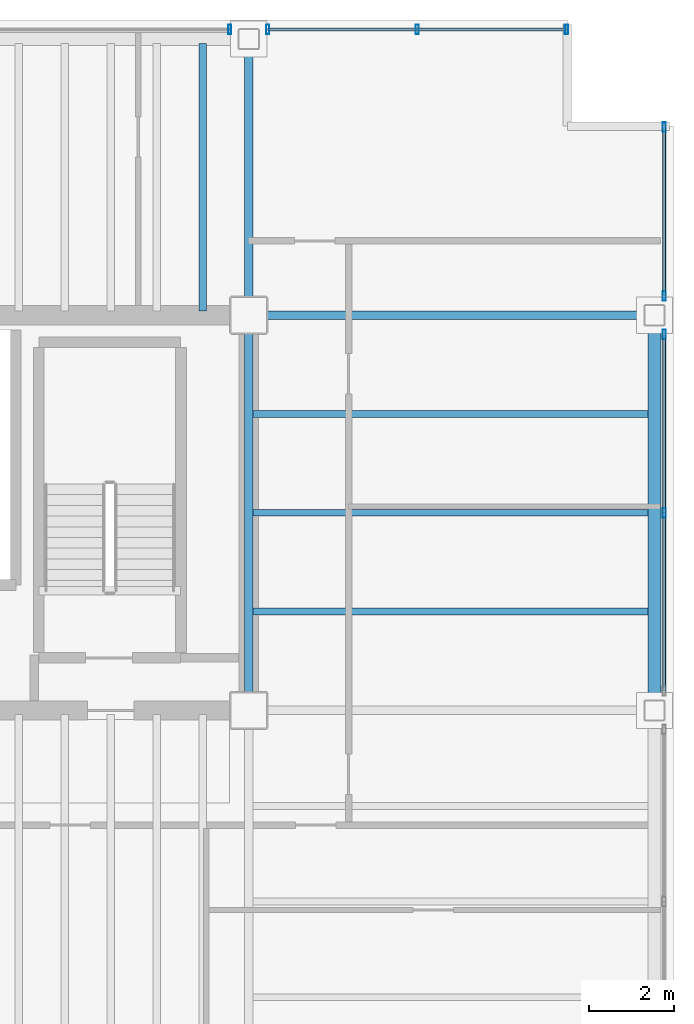
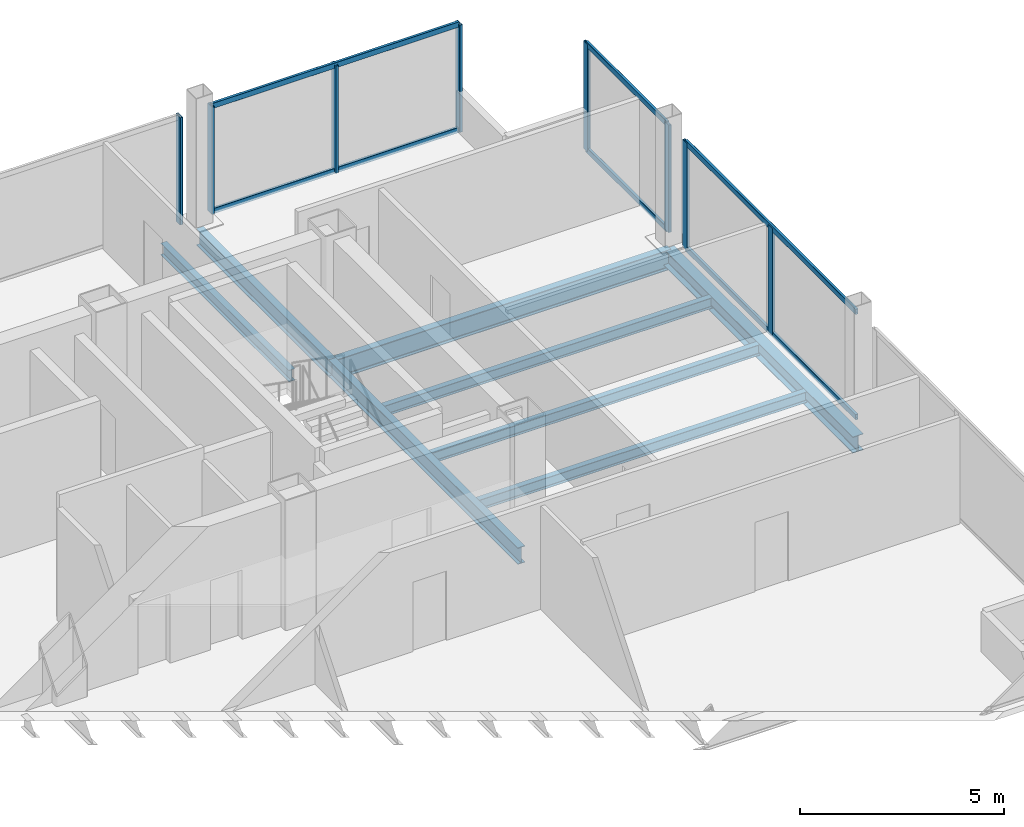
# One storey, part 11 of 16: 14 members, 8 beams, 4 elements without a shape of their own.
"""IFC4 building model written with IfcOpenShell, lengths in metres."""

from ifc_helpers import new_model, si_unit, direction, frame, origin, origin_2d, place, context, subcontext, project, spatial, hollow_rectangle, i_section, extrude, material, material_profile, profile_set, type_object, element, aggregate, save


model = new_model("IFC4")

# Units and contexts
model_context = context("Model", 3, precision=1e-05, world=origin(), true_north=direction((0.0, 1.0)))
body_context = subcontext(model_context, "Body", "Model", "MODEL_VIEW")
ifc_project = project(units=[si_unit("LENGTHUNIT", "METRE"), si_unit("AREAUNIT", "SQUARE_METRE"), si_unit("VOLUMEUNIT", "CUBIC_METRE"), si_unit("PLANEANGLEUNIT", "RADIAN"), si_unit("MASSUNIT", "GRAM", prefix="KILO")], contexts=[model_context])

# Site, building, storey
site_placement = place(None, origin())
site = spatial("IfcSite", under=ifc_project, at=site_placement, CompositionType="ELEMENT")
building_placement = place(site_placement, origin())
building = spatial("IfcBuilding", under=site, at=building_placement, Name="Noeulbin Bourse Tower", CompositionType="ELEMENT")
storey_placement = place(building_placement, frame((0.0, 0.0, 181.199951171875)))
storey = spatial("IfcBuildingStorey", under=building, at=storey_placement, Name="L45", CompositionType="ELEMENT", Elevation=181.199951171875)

# Beams
ifc_material_1 = material(Name="Steel S355", Category="steel")
ifc_material_profile_1 = material_profile(ifc_material_1, i_section(OverallWidth=0.199951171875, OverallDepth=0.5, WebThickness=0.010009765625, FlangeThickness=0.01611328125, FilletRadius=0.02001953125, at=origin_2d()), Name="H-500x200x10x16", Category="LoadBearing")
ifc_profile_set_1 = profile_set([ifc_material_profile_1], Name="Steel S355")
beam_type_1 = type_object("IfcBeamType", Name="BM-GRD-500", PredefinedType="USERDEFINED", material=ifc_profile_set_1)
beam_1_placement = place(storey_placement, frame((44.0, 29.0, -0.429931640625), z_axis=(0.0, 1.0, 0.0), x_axis=(-1.0, 0.0, 0.0)))
element("IfcBeam", 1, at=beam_1_placement, inside=storey, type_object=beam_type_1, Name="Tower Primary Girder NS L45-5.3", ObjectType="GIRDER", PredefinedType="USERDEFINED", context=body_context, shape_type="SweptSolid", body=[
    extrude(i_section(OverallWidth=0.199951171875, OverallDepth=0.5, WebThickness=0.010009765625, FlangeThickness=0.01611328125, FilletRadius=0.02001953125, at=origin_2d()), origin(), (0.0, 0.0, 1.0), 9.300048828125),
])
beam_2_placement = place(storey_placement, frame((44.0, 38.300048828125, -0.429931640625), z_axis=(0.0, 1.0, 0.0), x_axis=(-1.0, 0.0, 0.0)))
element("IfcBeam", 2, at=beam_2_placement, inside=storey, type_object=beam_type_1, Name="Tower Primary Girder NS L45-5.4", ObjectType="GIRDER", PredefinedType="USERDEFINED", context=body_context, shape_type="SweptSolid", body=[
    extrude(i_section(OverallWidth=0.199951171875, OverallDepth=0.5, WebThickness=0.010009765625, FlangeThickness=0.01611328125, FilletRadius=0.02001953125, at=origin_2d()), origin(), (0.0, 0.0, 1.0), 6.5),
])
ifc_material_profile_2 = material_profile(ifc_material_1, i_section(OverallWidth=0.199951171875, OverallDepth=0.60009765625, WebThickness=0.010986328125, FlangeThickness=0.01708984375, FilletRadius=0.02197265625, at=origin_2d()), Name="H-600x200x11x17", Category="LoadBearing")
ifc_profile_set_2 = profile_set([ifc_material_profile_2], Name="Steel S355")
beam_type_2 = type_object("IfcBeamType", Name="BM-GRD-600", PredefinedType="USERDEFINED", material=ifc_profile_set_2)
beam_3_placement = place(storey_placement, frame((44.0, 38.300048828125, -0.47998046875), z_axis=(1.0, 0.0, 0.0), x_axis=(0.0, 1.0, 0.0)))
element("IfcBeam", 3, at=beam_3_placement, inside=storey, type_object=beam_type_2, Name="Tower Primary Girder EW L45-3.6", ObjectType="GIRDER", PredefinedType="USERDEFINED", context=body_context, shape_type="SweptSolid", body=[
    extrude(i_section(OverallWidth=0.199951171875, OverallDepth=0.60009765625, WebThickness=0.010986328125, FlangeThickness=0.01708984375, FilletRadius=0.02197265625, at=origin_2d()), origin(), (0.0, 0.0, 1.0), 9.550048828125),
])
ifc_material_profile_3 = material_profile(ifc_material_1, i_section(OverallWidth=0.159912109375, OverallDepth=0.320068359375, WebThickness=0.006591796875, FlangeThickness=0.010009765625, FilletRadius=0.012939453125, at=origin_2d()), Name="H-320x160x6.5x10", Category="LoadBearing")
ifc_profile_set_3 = profile_set([ifc_material_profile_3], Name="Steel S355")
beam_type_3 = type_object("IfcBeamType", Name="BM-JST-320", PredefinedType="JOIST", material=ifc_profile_set_3)
for number, where, z_axis, x_axis, name in (
    (4, (44.10009765625, 31.324951171875, -0.33984375), (1.0, 0.0, 0.0), (0.0, 1.0, 0.0), "Wing Composite Joist L45-E76"),
    (5, (44.10009765625, 33.64990234375, -0.33984375), (1.0, 0.0, 0.0), (0.0, 1.0, 0.0), "Wing Composite Joist L45-E77"),
    (6, (44.10009765625, 35.97509765625, -0.33984375), (1.0, 0.0, 0.0), (0.0, 1.0, 0.0), "Wing Composite Joist L45-E78"),
):
    element("IfcBeam", number, at=place(storey_placement, frame(where, z_axis=z_axis, x_axis=x_axis)), inside=storey, type_object=beam_type_3, Name=name, PredefinedType="JOIST", context=body_context, shape_type="SweptSolid", body=[
        extrude(i_section(OverallWidth=0.159912109375, OverallDepth=0.320068359375, WebThickness=0.006591796875, FlangeThickness=0.010009765625, FilletRadius=0.012939453125, at=origin_2d()), origin(), (0.0, 0.0, 1.0), 9.2998046875),
    ])
ifc_material_profile_4 = material_profile(ifc_material_1, i_section(OverallWidth=0.175048828125, OverallDepth=0.35009765625, WebThickness=0.007080078125, FlangeThickness=0.010986328125, FilletRadius=0.013916015625, at=origin_2d()), Name="H-350x175x7x11", Category="LoadBearing")
ifc_profile_set_4 = profile_set([ifc_material_profile_4], Name="Steel S355")
beam_type_4 = type_object("IfcBeamType", Name="BM-JST-350", PredefinedType="JOIST", material=ifc_profile_set_4)
beam_4_placement = place(storey_placement, frame((42.916748046875, 38.39990234375, -0.35498046875), z_axis=(0.0, 1.0, 0.0), x_axis=(-1.0, 0.0, 0.0)))
element("IfcBeam", 7, at=beam_4_placement, inside=storey, type_object=beam_type_4, Name="Tower Composite Joist L45-66", PredefinedType="JOIST", context=body_context, shape_type="SweptSolid", body=[
    extrude(i_section(OverallWidth=0.175048828125, OverallDepth=0.35009765625, WebThickness=0.007080078125, FlangeThickness=0.010986328125, FilletRadius=0.013916015625, at=origin_2d()), origin(), (0.0, 0.0, 1.0), 6.300048828125),
])
ifc_material_profile_5 = material_profile(ifc_material_1, i_section(OverallWidth=0.300048828125, OverallDepth=0.488037109375, WebThickness=0.010986328125, FlangeThickness=0.01806640625, FilletRadius=0.02197265625, at=origin_2d()), Name="H-488x300x11x18", Category="LoadBearing")
ifc_profile_set_5 = profile_set([ifc_material_profile_5], Name="Steel S355")
beam_type_5 = type_object("IfcBeamType", Name="BM-SPN-488", PredefinedType="SPANDREL", material=ifc_profile_set_5)
beam_5_placement = place(storey_placement, frame((53.550048828125, 29.0, -0.424072265625), z_axis=(0.0, 1.0, 0.0), x_axis=(-1.0, 0.0, 0.0)))
element("IfcBeam", 8, at=beam_5_placement, inside=storey, type_object=beam_type_5, Name="East Spandrel L45-2", PredefinedType="SPANDREL", context=body_context, shape_type="SweptSolid", body=[
    extrude(i_section(OverallWidth=0.300048828125, OverallDepth=0.488037109375, WebThickness=0.010986328125, FlangeThickness=0.01806640625, FilletRadius=0.02197265625, at=origin_2d()), origin(), (0.0, 0.0, 1.0), 9.300048828125),
])

# Curtain wall, member
ifc_material_2 = material(Name="Dark Tinted Triple Glazing", Category="glass")
curtain_wall_type = type_object("IfcCurtainWallType", Name="CW-SYS-3", PredefinedType="NOTDEFINED", material=ifc_material_2)
curtain_wall_1_placement = place(storey_placement, origin())
curtain_wall_1 = element("IfcCurtainWall", 9, at=curtain_wall_1_placement, inside=storey, type_object=curtain_wall_type, Name="Unitised Curtain Wall CW-L45-N-S4", PredefinedType="NOTDEFINED")
ifc_material_3 = material(Name="Anodised Aluminium 6063-T6", Category="aluminium")
ifc_material_profile_6 = material_profile(ifc_material_3, hollow_rectangle(XDim=0.074951171875, YDim=0.219970703125, WallThickness=0.0048828125, InnerFilletRadius=0.00244140625, OuterFilletRadius=0.0048828125, at=origin_2d()), Name="ALU-MULL-75x220x5", Category="LoadBearing")
ifc_profile_set_6 = profile_set([ifc_material_profile_6], Name="Anodised Aluminium 6063-T6")
member_type_1 = type_object("IfcMemberType", Name="CW-SYS-3-MUL", PredefinedType="MULLION", material=ifc_profile_set_6)
member_1_placement = place(storey_placement, frame((43.550048828125, 45.030029296875, -0.02001953125), z_axis=(0.0, 0.0, 1.0), x_axis=(1.0, 0.0, 0.0)))
member_1 = element("IfcMember", 10, at=member_1_placement, type_object=member_type_1, Name="Curtain Wall Mullion CW-L45-N-S4-M01", PredefinedType="MULLION", context=body_context, shape_type="SweptSolid", body=[
    extrude(hollow_rectangle(XDim=0.074951171875, YDim=0.219970703125, WallThickness=0.0048828125, InnerFilletRadius=0.00244140625, OuterFilletRadius=0.0048828125, at=origin_2d()), origin(), (0.0, 0.0, 1.0), 3.219970703125),
])
aggregate(curtain_wall_1, [member_1])

# Curtain wall, members
curtain_wall_2_placement = place(storey_placement, origin())
curtain_wall_2 = element("IfcCurtainWall", 11, at=curtain_wall_2_placement, inside=storey, type_object=curtain_wall_type, Name="Unitised Curtain Wall CW-L45-N-S5", PredefinedType="NOTDEFINED")
member_2_placement = place(storey_placement, frame((44.449951171875, 45.030029296875, -0.02001953125), z_axis=(0.0, 0.0, 1.0), x_axis=(1.0, 0.0, 0.0)))
member_2 = element("IfcMember", 12, at=member_2_placement, type_object=member_type_1, Name="Curtain Wall Mullion CW-L45-N-S5-M00", PredefinedType="MULLION", context=body_context, shape_type="SweptSolid", body=[
    extrude(hollow_rectangle(XDim=0.074951171875, YDim=0.219970703125, WallThickness=0.0048828125, InnerFilletRadius=0.00244140625, OuterFilletRadius=0.0048828125, at=origin_2d()), origin(), (0.0, 0.0, 1.0), 3.219970703125),
])
member_3_placement = place(storey_placement, frame((47.965087890625, 45.030029296875, -0.02001953125), z_axis=(0.0, 0.0, 1.0), x_axis=(1.0, 0.0, 0.0)))
member_3 = element("IfcMember", 13, at=member_3_placement, type_object=member_type_1, Name="Curtain Wall Mullion CW-L45-N-S5-M01", PredefinedType="MULLION", context=body_context, shape_type="SweptSolid", body=[
    extrude(hollow_rectangle(XDim=0.074951171875, YDim=0.219970703125, WallThickness=0.0048828125, InnerFilletRadius=0.00244140625, OuterFilletRadius=0.0048828125, at=origin_2d()), origin(), (0.0, 0.0, 1.0), 3.219970703125),
])
member_4_placement = place(storey_placement, frame((51.47998046875, 45.030029296875, -0.02001953125), z_axis=(0.0, 0.0, 1.0), x_axis=(1.0, 0.0, 0.0)))
member_4 = element("IfcMember", 14, at=member_4_placement, type_object=member_type_1, Name="Curtain Wall Mullion CW-L45-N-S5-M02", PredefinedType="MULLION", context=body_context, shape_type="SweptSolid", body=[
    extrude(hollow_rectangle(XDim=0.074951171875, YDim=0.219970703125, WallThickness=0.0048828125, InnerFilletRadius=0.00244140625, OuterFilletRadius=0.0048828125, at=origin_2d()), origin(), (0.0, 0.0, 1.0), 3.219970703125),
])

curtain_wall_3_placement = place(storey_placement, origin())
curtain_wall_3 = element("IfcCurtainWall", 15, at=curtain_wall_3_placement, inside=storey, type_object=curtain_wall_type, Name="Unitised Curtain Wall CW-L45-E-S2", PredefinedType="NOTDEFINED")
member_5_placement = place(storey_placement, frame((53.780029296875, 33.64990234375, -0.02001953125), z_axis=(0.0, 0.0, 1.0), x_axis=(1.0, 0.0, 0.0)))
member_5 = element("IfcMember", 16, at=member_5_placement, type_object=member_type_1, Name="Curtain Wall Mullion CW-L45-E-S2-M01", PredefinedType="MULLION", context=body_context, shape_type="SweptSolid", body=[
    extrude(hollow_rectangle(XDim=0.074951171875, YDim=0.219970703125, WallThickness=0.0048828125, InnerFilletRadius=0.00244140625, OuterFilletRadius=0.0048828125, at=origin_2d()), origin(), (0.0, 0.0, 1.0), 3.219970703125),
])
member_6_placement = place(storey_placement, frame((53.780029296875, 37.85009765625, -0.02001953125), z_axis=(0.0, 0.0, 1.0), x_axis=(1.0, 0.0, 0.0)))
member_6 = element("IfcMember", 17, at=member_6_placement, type_object=member_type_1, Name="Curtain Wall Mullion CW-L45-E-S2-M02", PredefinedType="MULLION", context=body_context, shape_type="SweptSolid", body=[
    extrude(hollow_rectangle(XDim=0.074951171875, YDim=0.219970703125, WallThickness=0.0048828125, InnerFilletRadius=0.00244140625, OuterFilletRadius=0.0048828125, at=origin_2d()), origin(), (0.0, 0.0, 1.0), 3.219970703125),
])

curtain_wall_4_placement = place(storey_placement, origin())
curtain_wall_4 = element("IfcCurtainWall", 18, at=curtain_wall_4_placement, inside=storey, type_object=curtain_wall_type, Name="Unitised Curtain Wall CW-L45-E-S3", PredefinedType="NOTDEFINED")
member_7_placement = place(storey_placement, frame((53.780029296875, 38.75, -0.02001953125), z_axis=(0.0, 0.0, 1.0), x_axis=(1.0, 0.0, 0.0)))
member_7 = element("IfcMember", 19, at=member_7_placement, type_object=member_type_1, Name="Curtain Wall Mullion CW-L45-E-S3-M00", PredefinedType="MULLION", context=body_context, shape_type="SweptSolid", body=[
    extrude(hollow_rectangle(XDim=0.074951171875, YDim=0.219970703125, WallThickness=0.0048828125, InnerFilletRadius=0.00244140625, OuterFilletRadius=0.0048828125, at=origin_2d()), origin(), (0.0, 0.0, 1.0), 3.219970703125),
])
member_8_placement = place(storey_placement, frame((53.780029296875, 42.72998046875, -0.02001953125), z_axis=(0.0, 0.0, 1.0), x_axis=(1.0, 0.0, 0.0)))
member_8 = element("IfcMember", 20, at=member_8_placement, type_object=member_type_1, Name="Curtain Wall Mullion CW-L45-E-S3-M01", PredefinedType="MULLION", context=body_context, shape_type="SweptSolid", body=[
    extrude(hollow_rectangle(XDim=0.074951171875, YDim=0.219970703125, WallThickness=0.0048828125, InnerFilletRadius=0.00244140625, OuterFilletRadius=0.0048828125, at=origin_2d()), origin(), (0.0, 0.0, 1.0), 3.219970703125),
])

# Member
ifc_material_profile_7 = material_profile(ifc_material_3, hollow_rectangle(XDim=0.074951171875, YDim=0.159912109375, WallThickness=0.0048828125, InnerFilletRadius=0.00244140625, OuterFilletRadius=0.0048828125, at=origin_2d()), Name="ALU-TRAN-75x160x5", Category="LoadBearing")
ifc_profile_set_7 = profile_set([ifc_material_profile_7], Name="Anodised Aluminium 6063-T6")
member_type_2 = type_object("IfcMemberType", Name="CW-SYS-3-TRN", PredefinedType="USERDEFINED", material=ifc_profile_set_7)
member_9_placement = place(storey_placement, frame((44.4599609375, 45.030029296875, 0.010009765625), z_axis=(1.0, 0.0, 0.0), x_axis=(0.0, 1.0, 0.0)))
member_9 = element("IfcMember", 21, at=member_9_placement, type_object=member_type_2, Name="Curtain Wall Transom CW-L45-N-S5-T00", ObjectType="TRANSOM", PredefinedType="USERDEFINED", context=body_context, shape_type="SweptSolid", body=[
    extrude(hollow_rectangle(XDim=0.074951171875, YDim=0.159912109375, WallThickness=0.0048828125, InnerFilletRadius=0.00244140625, OuterFilletRadius=0.0048828125, at=origin_2d()), origin(), (0.0, 0.0, 1.0), 7.010009765625),
])

member_10_placement = place(storey_placement, frame((44.4599609375, 45.030029296875, 3.170166015625), z_axis=(1.0, 0.0, 0.0), x_axis=(0.0, 1.0, 0.0)))
member_10 = element("IfcMember", 22, at=member_10_placement, type_object=member_type_2, Name="Curtain Wall Transom CW-L45-N-S5-T01", ObjectType="TRANSOM", PredefinedType="USERDEFINED", context=body_context, shape_type="SweptSolid", body=[
    extrude(hollow_rectangle(XDim=0.074951171875, YDim=0.159912109375, WallThickness=0.0048828125, InnerFilletRadius=0.00244140625, OuterFilletRadius=0.0048828125, at=origin_2d()), origin(), (0.0, 0.0, 1.0), 7.010009765625),
])

aggregate(curtain_wall_2, [member_2, member_3, member_4, member_9, member_10])

member_11_placement = place(storey_placement, frame((53.780029296875, 29.4599609375, 0.010009765625), z_axis=(0.0, 1.0, 0.0), x_axis=(-1.0, 0.0, 0.0)))
member_11 = element("IfcMember", 23, at=member_11_placement, type_object=member_type_2, Name="Curtain Wall Transom CW-L45-E-S2-T00", ObjectType="TRANSOM", PredefinedType="USERDEFINED", context=body_context, shape_type="SweptSolid", body=[
    extrude(hollow_rectangle(XDim=0.074951171875, YDim=0.159912109375, WallThickness=0.0048828125, InnerFilletRadius=0.00244140625, OuterFilletRadius=0.0048828125, at=origin_2d()), origin(), (0.0, 0.0, 1.0), 8.380126953125),
])

member_12_placement = place(storey_placement, frame((53.780029296875, 29.4599609375, 3.170166015625), z_axis=(0.0, 1.0, 0.0), x_axis=(-1.0, 0.0, 0.0)))
member_12 = element("IfcMember", 24, at=member_12_placement, type_object=member_type_2, Name="Curtain Wall Transom CW-L45-E-S2-T01", ObjectType="TRANSOM", PredefinedType="USERDEFINED", context=body_context, shape_type="SweptSolid", body=[
    extrude(hollow_rectangle(XDim=0.074951171875, YDim=0.159912109375, WallThickness=0.0048828125, InnerFilletRadius=0.00244140625, OuterFilletRadius=0.0048828125, at=origin_2d()), origin(), (0.0, 0.0, 1.0), 8.380126953125),
])

aggregate(curtain_wall_3, [member_5, member_6, member_11, member_12])

member_13_placement = place(storey_placement, frame((53.780029296875, 38.760009765625, 0.010009765625), z_axis=(0.0, 1.0, 0.0), x_axis=(-1.0, 0.0, 0.0)))
member_13 = element("IfcMember", 25, at=member_13_placement, type_object=member_type_2, Name="Curtain Wall Transom CW-L45-E-S3-T00", ObjectType="TRANSOM", PredefinedType="USERDEFINED", context=body_context, shape_type="SweptSolid", body=[
    extrude(hollow_rectangle(XDim=0.074951171875, YDim=0.159912109375, WallThickness=0.0048828125, InnerFilletRadius=0.00244140625, OuterFilletRadius=0.0048828125, at=origin_2d()), origin(), (0.0, 0.0, 1.0), 3.9599609375),
])

member_14_placement = place(storey_placement, frame((53.780029296875, 38.760009765625, 3.170166015625), z_axis=(0.0, 1.0, 0.0), x_axis=(-1.0, 0.0, 0.0)))
member_14 = element("IfcMember", 26, at=member_14_placement, type_object=member_type_2, Name="Curtain Wall Transom CW-L45-E-S3-T01", ObjectType="TRANSOM", PredefinedType="USERDEFINED", context=body_context, shape_type="SweptSolid", body=[
    extrude(hollow_rectangle(XDim=0.074951171875, YDim=0.159912109375, WallThickness=0.0048828125, InnerFilletRadius=0.00244140625, OuterFilletRadius=0.0048828125, at=origin_2d()), origin(), (0.0, 0.0, 1.0), 3.9599609375),
])

aggregate(curtain_wall_4, [member_7, member_8, member_13, member_14])

save(model, "model.ifc")
